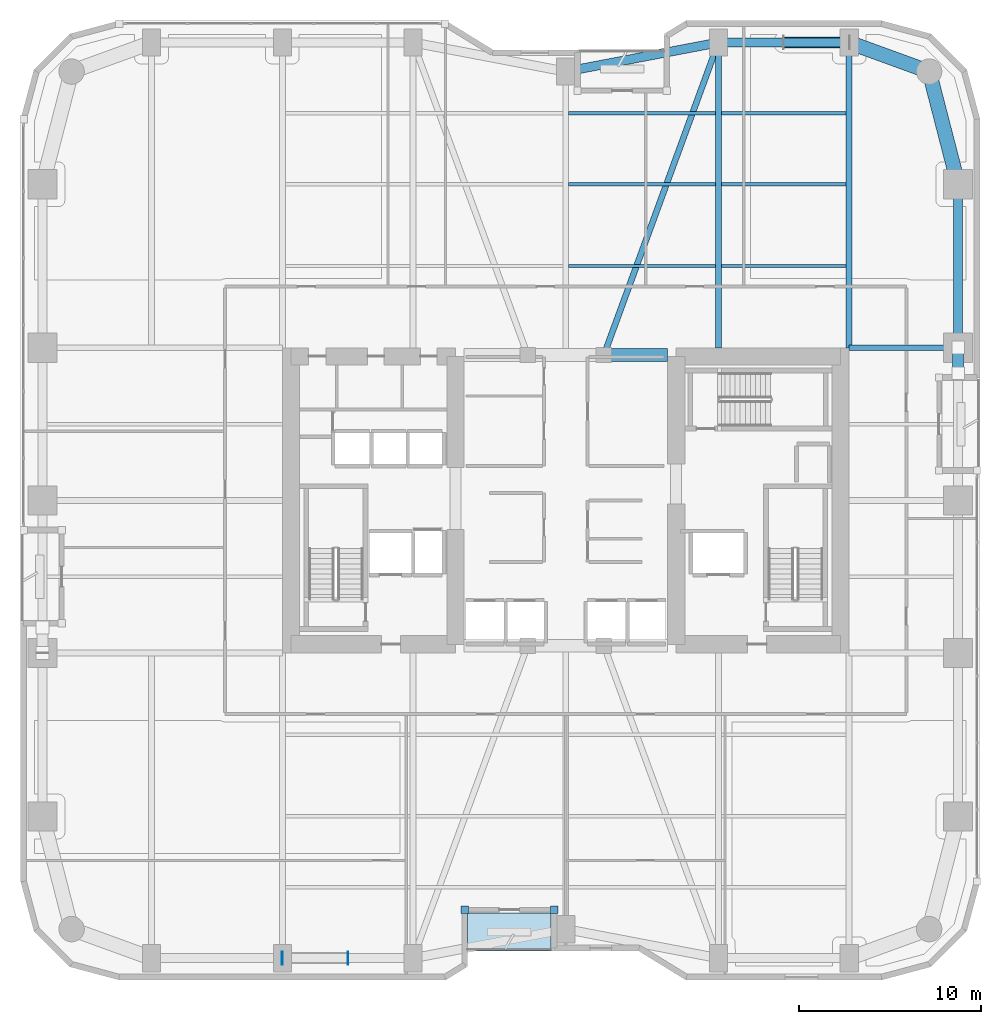
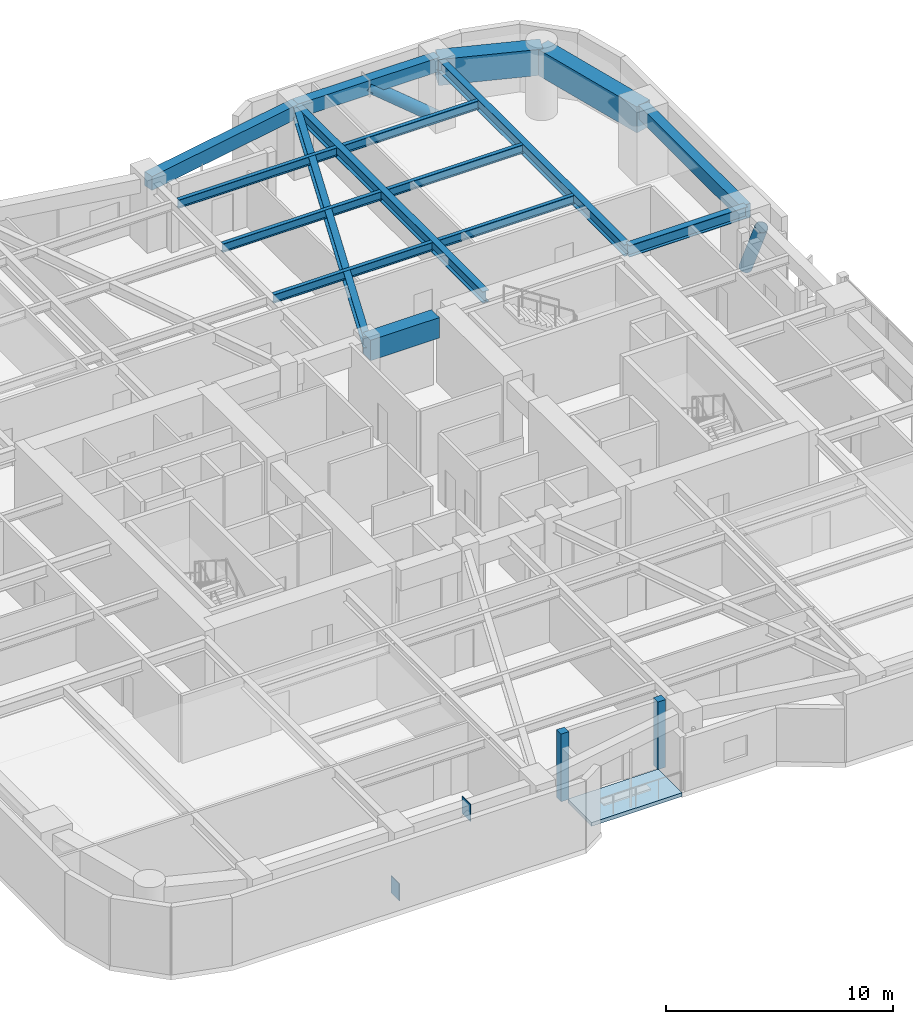
# One storey, part 15 of 24: 16 beams, 4 plates, 2 members, 1 slab.
"""IFC4 building model written with IfcOpenShell, lengths in metres."""

from ifc_helpers import new_model, si_unit, direction, frame, origin, origin_2d, place, context, subcontext, project, spatial, polyline, rectangle, hollow_circle, i_section, outline, extrude, material, layer, layer_set, material_profile, profile_set, type_object, element, save


model = new_model("IFC4")

# Units and contexts
model_context = context("Model", 3, precision=1e-05, world=origin(), true_north=direction((0.0, 1.0)))
body_context = subcontext(model_context, "Body", "Model", "MODEL_VIEW")
ifc_project = project(units=[si_unit("LENGTHUNIT", "METRE"), si_unit("AREAUNIT", "SQUARE_METRE"), si_unit("VOLUMEUNIT", "CUBIC_METRE"), si_unit("PLANEANGLEUNIT", "RADIAN"), si_unit("MASSUNIT", "GRAM", prefix="KILO")], contexts=[model_context])

# Site, building, storey
site_placement = place(None, origin())
site = spatial("IfcSite", under=ifc_project, at=site_placement, CompositionType="ELEMENT")
building_placement = place(site_placement, origin())
building = spatial("IfcBuilding", under=site, at=building_placement, Name="Kiyonajd Concourse Tower", CompositionType="ELEMENT")
storey_placement = place(building_placement, frame((0.0, 0.0, 85.800048828125)))
storey = spatial("IfcBuildingStorey", under=building, at=storey_placement, Name="L22", CompositionType="ELEMENT", Elevation=85.800048828125)

# Beams
ifc_material_1 = material(Name="Concrete C70/85", Category="concrete")
ifc_material_profile_1 = material_profile(ifc_material_1, rectangle(XDim=0.699951171875, YDim=1.10009765625, at=origin_2d()), Name="RCBM-700x1100")
ifc_profile_set_1 = profile_set([ifc_material_profile_1], Name="Concrete C70/85")
beam_type_1 = type_object("IfcBeamType", Name="BM-COUP-1100", PredefinedType="LINTEL", material=ifc_profile_set_1)
beam_1_placement = place(storey_placement, frame((50.10009765625, 44.0, 3.08984375), z_axis=(1.0, 0.0, 0.0), x_axis=(0.0, 1.0, 0.0)))
element("IfcBeam", 1, at=beam_1_placement, inside=storey, type_object=beam_type_1, Name="L22 Core Coupling Beam N3", PredefinedType="LINTEL", context=body_context, shape_type="SweptSolid", body=[
    extrude(rectangle(XDim=0.699951171875, YDim=1.10009765625, at=origin_2d()), origin(), (0.0, 0.0, 1.0), 3.5),
])
ifc_material_2 = material(Name="Steel ASTM A992 Grade 50", Category="steel")
ifc_material_profile_2 = material_profile(ifc_material_2, i_section(OverallWidth=0.19189453125, OverallDepth=0.462890625, WebThickness=0.010498046875, FlangeThickness=0.017578125, at=origin_2d()), Name="W460X89")
ifc_profile_set_2 = profile_set([ifc_material_profile_2], Name="Steel ASTM A992 Grade 50")
beam_type_2 = type_object("IfcBeamType", Name="BM-JST-460B", PredefinedType="JOIST", material=ifc_profile_set_2)
beam_2_placement = place(storey_placement, frame((48.16357421875, 48.89990234375, 3.408447265625), z_axis=(1.0, 0.0, 0.0), x_axis=(0.0, 1.0, 0.0)))
element("IfcBeam", 2, at=beam_2_placement, inside=storey, type_object=beam_type_2, Name="L22 Secondary Floor Joist", PredefinedType="JOIST", context=body_context, shape_type="SweptSolid", body=[
    extrude(i_section(OverallWidth=0.19189453125, OverallDepth=0.462890625, WebThickness=0.010498046875, FlangeThickness=0.017578125, at=origin_2d()), origin(), (0.0, 0.0, 1.0), 8.072998046875),
])
beam_3_placement = place(storey_placement, frame((56.5634765625, 48.89990234375, 3.408447265625), z_axis=(1.0, 0.0, 0.0), x_axis=(0.0, 1.0, 0.0)))
element("IfcBeam", 3, at=beam_3_placement, inside=storey, type_object=beam_type_2, Name="L22 Secondary Floor Joist", PredefinedType="JOIST", context=body_context, shape_type="SweptSolid", body=[
    extrude(i_section(OverallWidth=0.19189453125, OverallDepth=0.462890625, WebThickness=0.010498046875, FlangeThickness=0.017578125, at=origin_2d()), origin(), (0.0, 0.0, 1.0), 6.873046875),
])
beam_4_placement = place(storey_placement, frame((48.16357421875, 53.39990234375, 3.408447265625), z_axis=(1.0, 0.0, 0.0), x_axis=(0.0, 1.0, 0.0)))
element("IfcBeam", 4, at=beam_4_placement, inside=storey, type_object=beam_type_2, Name="L22 Secondary Floor Joist", PredefinedType="JOIST", context=body_context, shape_type="SweptSolid", body=[
    extrude(i_section(OverallWidth=0.19189453125, OverallDepth=0.462890625, WebThickness=0.010498046875, FlangeThickness=0.017578125, at=origin_2d()), origin(), (0.0, 0.0, 1.0), 8.072998046875),
])
beam_5_placement = place(storey_placement, frame((56.5634765625, 53.39990234375, 3.408447265625), z_axis=(1.0, 0.0, 0.0), x_axis=(0.0, 1.0, 0.0)))
element("IfcBeam", 5, at=beam_5_placement, inside=storey, type_object=beam_type_2, Name="L22 Secondary Floor Joist", PredefinedType="JOIST", context=body_context, shape_type="SweptSolid", body=[
    extrude(i_section(OverallWidth=0.19189453125, OverallDepth=0.462890625, WebThickness=0.010498046875, FlangeThickness=0.017578125, at=origin_2d()), origin(), (0.0, 0.0, 1.0), 6.873046875),
])
beam_6_placement = place(storey_placement, frame((48.16357421875, 57.300048828125, 3.408447265625), z_axis=(1.0, 0.0, 0.0), x_axis=(0.0, 1.0, 0.0)))
element("IfcBeam", 6, at=beam_6_placement, inside=storey, type_object=beam_type_2, Name="L22 Secondary Floor Joist", PredefinedType="JOIST", context=body_context, shape_type="SweptSolid", body=[
    extrude(i_section(OverallWidth=0.19189453125, OverallDepth=0.462890625, WebThickness=0.010498046875, FlangeThickness=0.017578125, at=origin_2d()), origin(), (0.0, 0.0, 1.0), 8.072998046875),
])
beam_7_placement = place(storey_placement, frame((56.5634765625, 57.300048828125, 3.408447265625), z_axis=(1.0, 0.0, 0.0), x_axis=(0.0, 1.0, 0.0)))
element("IfcBeam", 7, at=beam_7_placement, inside=storey, type_object=beam_type_2, Name="L22 Secondary Floor Joist", PredefinedType="JOIST", context=body_context, shape_type="SweptSolid", body=[
    extrude(i_section(OverallWidth=0.19189453125, OverallDepth=0.462890625, WebThickness=0.010498046875, FlangeThickness=0.017578125, at=origin_2d()), origin(), (0.0, 0.0, 1.0), 6.873046875),
])
ifc_material_3 = material(Name="Precast concrete C50/60", Category="concrete")
ifc_material_profile_3 = material_profile(ifc_material_3, rectangle(XDim=0.5, YDim=0.75, at=origin_2d()), Name="RCBM-500x750")
ifc_profile_set_3 = profile_set([ifc_material_profile_3], Name="Precast concrete C50/60")
beam_type_3 = type_object("IfcBeamType", Name="BM-SPAN-RC", PredefinedType="SPANDREL", material=ifc_profile_set_3)
beam_8_placement = place(storey_placement, frame((69.60009765625, 44.39990234375, 3.264892578125), z_axis=(0.0, 1.0, 0.0), x_axis=(-1.0, 0.0, 0.0)))
element("IfcBeam", 8, at=beam_8_placement, inside=storey, type_object=beam_type_3, Name="L22 Perimeter Bundled Tube Spandrel", PredefinedType="SPANDREL", context=body_context, shape_type="SweptSolid", body=[
    extrude(rectangle(XDim=0.5, YDim=0.75, at=origin_2d()), origin(), (0.0, 0.0, 1.0), 9.0),
])
beam_9_placement = place(storey_placement, frame((63.60009765625, 61.199951171875, 3.264892578125), z_axis=(-1.0, 0.0, 0.0), x_axis=(0.0, -1.0, 0.0)))
element("IfcBeam", 9, at=beam_9_placement, inside=storey, type_object=beam_type_3, Name="L22 Perimeter Bundled Tube Spandrel", PredefinedType="SPANDREL", context=body_context, shape_type="SweptSolid", body=[
    extrude(rectangle(XDim=0.5, YDim=0.75, at=origin_2d()), origin(), (0.0, 0.0, 1.0), 7.2001953125),
])
beam_10_placement = place(storey_placement, frame((56.39990234375, 61.199951171875, 3.264892578125), z_axis=(-0.982341315253, -0.187097675953, 0.0), x_axis=(0.187097675953, -0.982341315253, 0.0)))
element("IfcBeam", 10, at=beam_10_placement, inside=storey, type_object=beam_type_3, Name="L22 Perimeter Bundled Tube Spandrel", PredefinedType="SPANDREL", context=body_context, shape_type="SweptSolid", body=[
    extrude(rectangle(XDim=0.5, YDim=0.75, at=origin_2d()), origin(), (0.0, 0.0, 1.0), 8.55078125),
])
ifc_material_profile_4 = material_profile(ifc_material_2, i_section(OverallWidth=0.326904296875, OverallDepth=0.6220703125, WebThickness=0.015380859375, FlangeThickness=0.0244140625, at=origin_2d()), Name="W610X195")
ifc_profile_set_4 = profile_set([ifc_material_profile_4], Name="Steel ASTM A992 Grade 50")
beam_type_4 = type_object("IfcBeamType", Name="BM-TWR-610A", PredefinedType="BEAM", material=ifc_profile_set_4)
beam_11_placement = place(storey_placement, frame((50.10009765625, 44.0, 3.328857421875), z_axis=(0.343925269715, 0.938997022813, 0.0), x_axis=(-0.938997022813, 0.343925269715, 0.0)))
element("IfcBeam", 11, at=beam_11_placement, inside=storey, type_object=beam_type_4, Name="L22 Core Tie Girder", PredefinedType="BEAM", context=body_context, shape_type="SweptSolid", body=[
    extrude(i_section(OverallWidth=0.326904296875, OverallDepth=0.6220703125, WebThickness=0.015380859375, FlangeThickness=0.0244140625, at=origin_2d()), origin(), (0.0, 0.0, 1.0), 18.3173828125),
])
for number, where, z_axis, x_axis, name in (
    (12, (56.39990234375, 44.39990234375, 3.328857421875), (0.0, 1.0, 0.0), (-1.0, 0.0, 0.0), "L22 North Lease Girder"),
    (13, (63.60009765625, 44.39990234375, 3.328857421875), (0.0, 1.0, 0.0), (-1.0, 0.0, 0.0), "L22 North Lease Girder"),
):
    element("IfcBeam", number, at=place(storey_placement, frame(where, z_axis=z_axis, x_axis=x_axis)), inside=storey, type_object=beam_type_4, Name=name, PredefinedType="BEAM", context=body_context, shape_type="SweptSolid", body=[
        extrude(i_section(OverallWidth=0.326904296875, OverallDepth=0.6220703125, WebThickness=0.015380859375, FlangeThickness=0.0244140625, at=origin_2d()), origin(), (0.0, 0.0, 1.0), 16.800048828125),
    ])
beam_12_placement = place(storey_placement, frame((63.60009765625, 44.39990234375, 3.328857421875), z_axis=(1.0, 0.0, 0.0), x_axis=(0.0, 1.0, 0.0)))
element("IfcBeam", 14, at=beam_12_placement, inside=storey, type_object=beam_type_4, Name="L22 East Lease Girder", PredefinedType="BEAM", context=body_context, shape_type="SweptSolid", body=[
    extrude(i_section(OverallWidth=0.326904296875, OverallDepth=0.6220703125, WebThickness=0.015380859375, FlangeThickness=0.0244140625, at=origin_2d()), origin(), (0.0, 0.0, 1.0), 6.0),
])
ifc_material_4 = material(Name="Concrete C60/75", Category="concrete")
ifc_material_profile_5 = material_profile(ifc_material_4, rectangle(XDim=0.800048828125, YDim=1.39990234375, at=origin_2d()), Name="RCBM-800x1400")
ifc_profile_set_5 = profile_set([ifc_material_profile_5], Name="Concrete C60/75")
beam_type_5 = type_object("IfcBeamType", Name="BM-XFER-RC", PredefinedType="BEAM", material=ifc_profile_set_5)
beam_13_placement = place(storey_placement, frame((69.60009765625, 53.39990234375, 2.93994140625), z_axis=(-0.249884937687, 0.968275538221, 0.0), x_axis=(-0.968275538221, -0.249884937687, 0.0)))
element("IfcBeam", 15, at=beam_13_placement, inside=storey, type_object=beam_type_5, Name="L22 Perimeter Bundled Tube Spandrel", PredefinedType="BEAM", context=body_context, shape_type="SweptSolid", body=[
    extrude(rectangle(XDim=0.800048828125, YDim=1.39990234375, at=origin_2d()), origin(), (0.0, 0.0, 1.0), 6.4033203125),
])
beam_14_placement = place(storey_placement, frame((68.0, 59.60009765625, 2.93994140625), z_axis=(-0.939801036019, 0.341722127901, 0.0), x_axis=(-0.341722127901, -0.939801036019, 0.0)))
element("IfcBeam", 16, at=beam_14_placement, inside=storey, type_object=beam_type_5, Name="L22 Perimeter Bundled Tube Spandrel", PredefinedType="BEAM", context=body_context, shape_type="SweptSolid", body=[
    extrude(rectangle(XDim=0.800048828125, YDim=1.39990234375, at=origin_2d()), origin(), (0.0, 0.0, 1.0), 4.681640625),
])

# Members
ifc_material_5 = material(Name="Steel ASTM A572 Grade 50", Category="steel")
ifc_material_profile_6 = material_profile(ifc_material_5, hollow_circle(Radius=0.304931640625, WallThickness=0.02490234375, at=origin_2d()), Name="CHS-610x25")
ifc_profile_set_6 = profile_set([ifc_material_profile_6], Name="Steel ASTM A572 Grade 50")
member_type = type_object("IfcMemberType", Name="MB-PB-LOW", PredefinedType="BRACE", material=ifc_profile_set_6)
member_1_placement = place(storey_placement, frame((63.60009765625, 61.199951171875, 0.300048828125), z_axis=(-0.769280705518, 0.0, 0.638910945373), x_axis=(0.0, -1.0, 0.0)))
element("IfcMember", 17, at=member_1_placement, inside=storey, type_object=member_type, Name="L22 Lower Zone Welded Tube Brace PBN", PredefinedType="BRACE", context=body_context, shape_type="SweptSolid", body=[
    extrude(hollow_circle(Radius=0.304931640625, WallThickness=0.02490234375, at=origin_2d()), origin(), (0.0, 0.0, 1.0), 4.679931640625),
])
member_2_placement = place(storey_placement, frame((69.60009765625, 44.39990234375, 0.300048828125), z_axis=(0.0, -0.424022702926, 0.905651559598), x_axis=(1.0, 0.0, 0.0)))
element("IfcMember", 18, at=member_2_placement, inside=storey, type_object=member_type, Name="L22 Lower Zone Welded Tube Brace PBE", PredefinedType="BRACE", context=body_context, shape_type="SweptSolid", body=[
    extrude(hollow_circle(Radius=0.304931640625, WallThickness=0.02490234375, at=origin_2d()), origin(), (0.0, 0.0, 1.0), 3.301513671875),
])

# Plates
ifc_layer_1 = layer(ifc_material_5, 0.028076171875)
ifc_layer_set_1 = layer_set([ifc_layer_1], Name="Steel ASTM A572 Grade 50")
plate_type_1 = type_object("IfcPlateType", Name="PL-CAP-450", PredefinedType="USERDEFINED", material=ifc_layer_set_1)
for number, where, z_axis, x_axis, name in (
    (19, (32.3916015625, 10.800048828125, -0.173583984375), (0.0, 0.0, 1.0), (-1.0, 0.0, 0.0), "L22 Hollow Brace End Cap Plate PBS"),
    (20, (36.008544921875, 10.800048828125, 2.830322265625), (0.0, 0.0, 1.0), (1.0, 0.0, 0.0), "L22 Hollow Brace Top Cap Plate PBS"),
):
    element("IfcPlate", number, at=place(storey_placement, frame(where, z_axis=z_axis, x_axis=x_axis)), inside=storey, type_object=plate_type_1, Name=name, ObjectType="CAP PLATE", PredefinedType="USERDEFINED", context=body_context, shape_type="SweptSolid", body=[
        extrude(rectangle(XDim=0.035888671875, YDim=0.72998046875, at=origin_2d()), origin(), (0.0, 0.0, 1.0), 0.93310546875),
    ])
ifc_material_6 = material(Name="Thermally Broken Anodised Aluminium", Category="aluminium")
ifc_layer_2 = layer(ifc_material_6, 0.39990234375)
ifc_layer_set_2 = layer_set([ifc_layer_2], Name="Thermally Broken Anodised Aluminium")
plate_type_2 = type_object("IfcPlateType", Name="PL-JMB-400", PredefinedType="USERDEFINED", material=ifc_layer_set_2)
for number, where, z_axis, x_axis, name in (
    (21, (47.360107421875, 13.4599609375, 0.0), (0.0, 0.0, 1.0), (1.0, 0.0, 0.0), "L22 Facade Jamb Closure Plate 13"),
    (22, (42.43994140625, 13.4599609375, 0.0), (0.0, 0.0, 1.0), (1.0, 0.0, 0.0), "L22 Facade Jamb Closure Plate 14"),
):
    element("IfcPlate", number, at=place(storey_placement, frame(where, z_axis=z_axis, x_axis=x_axis)), inside=storey, type_object=plate_type_2, Name=name, ObjectType="JAMB PLATE", PredefinedType="USERDEFINED", context=body_context, shape_type="SweptSolid", body=[
        extrude(rectangle(XDim=0.39990234375, YDim=0.39990234375, at=origin_2d()), origin(), (0.0, 0.0, 1.0), 3.639892578125),
    ])

# Slab
ifc_layer_3 = layer(ifc_material_3, 0.199951171875)
ifc_layer_set_3 = layer_set([ifc_layer_3], Name="Precast concrete C50/60")
slab_type = type_object("IfcSlabType", Name="SL-LOG-200", PredefinedType="FLOOR", material=ifc_layer_set_3)
slab_placement = place(storey_placement, frame((0.0, 0.0, -0.199951171875)))
element("IfcSlab", 23, at=slab_placement, inside=storey, type_object=slab_type, Name="L22 Recessed Engawa Loggia Terrace Slab LOG-S", PredefinedType="FLOOR", context=body_context, shape_type="SweptSolid", body=[
    extrude(outline(polyline([(42.60009765625, 11.199951171875), (47.199951171875, 11.199951171875), (47.199951171875, 13.300048828125), (42.60009765625, 13.300048828125), (42.60009765625, 11.199951171875)])), origin(), (0.0, 0.0, 1.0), 0.199951171875),
])

save(model, "model.ifc")
